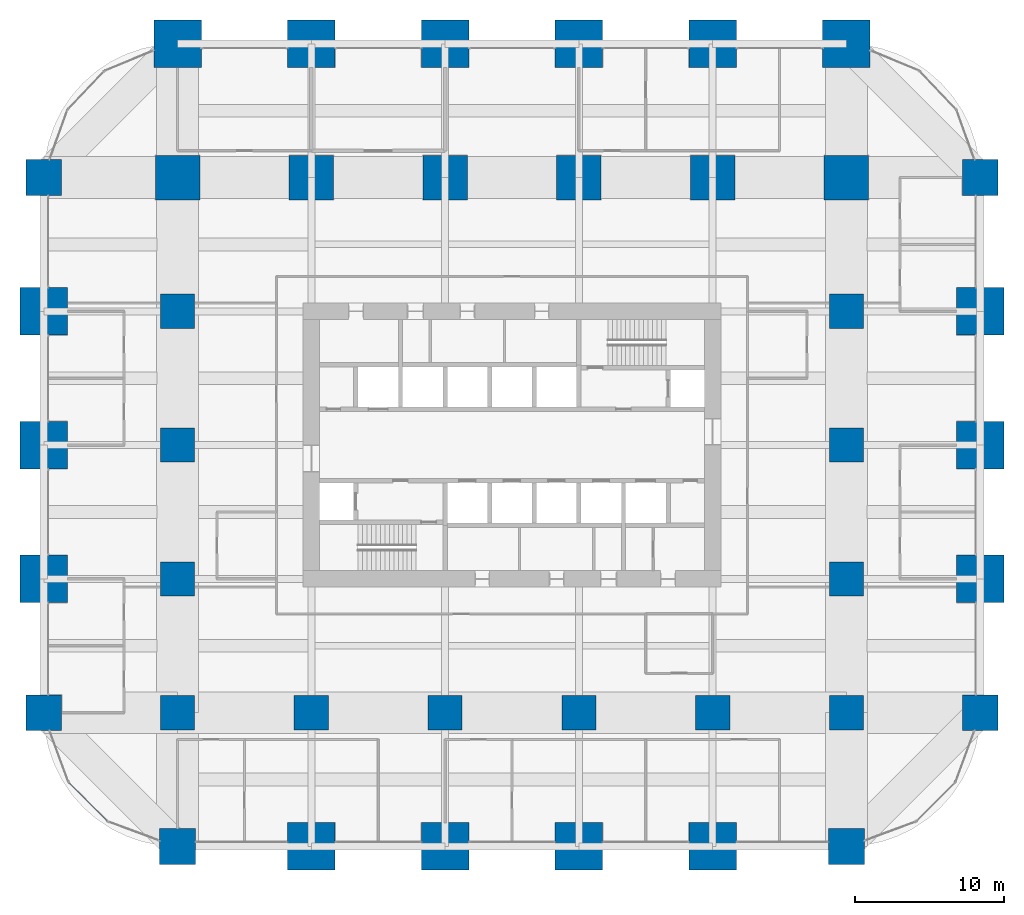
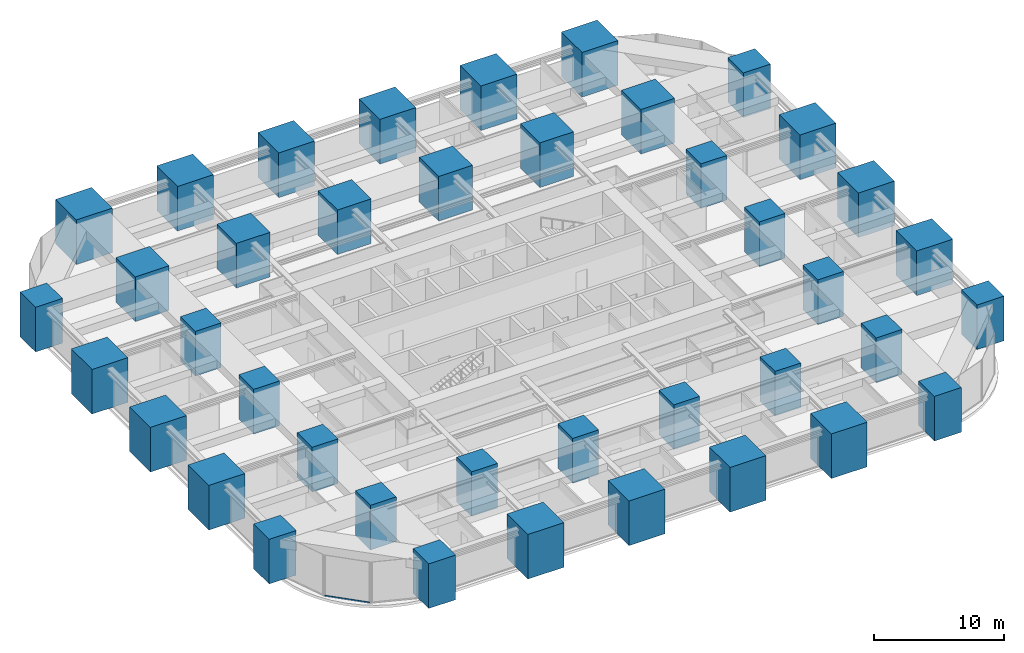
# One storey, part 1 of 42: 40 columns, 1 member, 1 element without a shape of its own.
"""IFC4 building model written with IfcOpenShell, lengths in metres."""

from ifc_helpers import new_model, si_unit, direction, frame, origin, origin_2d, place, context, subcontext, project, spatial, rectangle, hollow_rectangle, extrude, material, material_profile, profile_set, type_object, element, aggregate, save


model = new_model("IFC4")

# Units and contexts
model_context = context("Model", 3, precision=1e-05, world=origin(), true_north=direction((0.0, 1.0)))
body_context = subcontext(model_context, "Body", "Model", "MODEL_VIEW")
ifc_project = project(units=[si_unit("LENGTHUNIT", "METRE"), si_unit("AREAUNIT", "SQUARE_METRE"), si_unit("VOLUMEUNIT", "CUBIC_METRE"), si_unit("PLANEANGLEUNIT", "RADIAN"), si_unit("MASSUNIT", "GRAM", prefix="KILO")], contexts=[model_context])

# Site, building, storey
site_placement = place(None, origin())
site = spatial("IfcSite", under=ifc_project, at=site_placement, CompositionType="ELEMENT")
building_placement = place(site_placement, origin())
building = spatial("IfcBuilding", under=site, at=building_placement, Name="Zorevar Civic Tower", CompositionType="ELEMENT")
storey_placement = place(building_placement, frame((0.0, 0.0, 75.800048828125)))
storey = spatial("IfcBuildingStorey", under=building, at=storey_placement, Name="L18", CompositionType="ELEMENT", Elevation=75.800048828125)

# Columns
ifc_material_1 = material(Name="Concrete C50/60", Category="concrete")
ifc_material_profile_1 = material_profile(ifc_material_1, rectangle(XDim=2.300048828125, YDim=2.300048828125, at=origin_2d()), Name="RC 2300x2300")
ifc_profile_set_1 = profile_set([ifc_material_profile_1], Name="Concrete C50/60")
column_type_1 = type_object("IfcColumnType", Name="Column RC 2300x2300", PredefinedType="COLUMN", material=ifc_profile_set_1)
for number, where, z_axis, x_axis, name in (
    (1, (9.0, 9.0, 0.0), (0.0, 0.0, 1.0), (1.0, 0.0, 0.0), "Column 3B L18"),
    (2, (9.0, 18.0, 0.0), (0.0, 0.0, 1.0), (1.0, 0.0, 0.0), "Column 3C L18"),
    (3, (9.0, 27.0, 0.0), (0.0, 0.0, 1.0), (1.0, 0.0, 0.0), "Column 3D L18"),
    (4, (9.0, 36.0, 0.0), (0.0, 0.0, 1.0), (1.0, 0.0, 0.0), "Column 3E L18"),
    (5, (18.0, 9.0, 0.0), (0.0, 0.0, 1.0), (1.0, 0.0, 0.0), "Column 4B L18"),
    (6, (27.0, 9.0, 0.0), (0.0, 0.0, 1.0), (1.0, 0.0, 0.0), "Column 5B L18"),
    (7, (36.0, 9.0, 0.0), (0.0, 0.0, 1.0), (1.0, 0.0, 0.0), "Column 6B L18"),
    (8, (45.0, 9.0, 0.0), (0.0, 0.0, 1.0), (1.0, 0.0, 0.0), "Column 7B L18"),
    (9, (54.0, 9.0, 0.0), (0.0, 0.0, 1.0), (1.0, 0.0, 0.0), "Column 8B L18"),
    (10, (54.0, 18.0, 0.0), (0.0, 0.0, 1.0), (1.0, 0.0, 0.0), "Column 8C L18"),
    (11, (54.0, 27.0, 0.0), (0.0, 0.0, 1.0), (1.0, 0.0, 0.0), "Column 8D L18"),
    (12, (54.0, 36.0, 0.0), (0.0, 0.0, 1.0), (1.0, 0.0, 0.0), "Column 8E L18"),
):
    element("IfcColumn", number, at=place(storey_placement, frame(where, z_axis=z_axis, x_axis=x_axis)), inside=storey, type_object=column_type_1, Name=name, PredefinedType="COLUMN", context=body_context, shape_type="SweptSolid", body=[
        extrude(rectangle(XDim=2.300048828125, YDim=2.300048828125, at=origin_2d()), origin(), (0.0, 0.0, 1.0), 4.199951171875),
    ])
ifc_material_2 = material(Name="Concrete C50/60", Category="concrete")
ifc_material_profile_2 = material_profile(ifc_material_2, rectangle(XDim=2.39990234375, YDim=2.39990234375, at=origin_2d()), Name="RC 2400x2400")
ifc_profile_set_2 = profile_set([ifc_material_profile_2], Name="Concrete C50/60")
column_type_2 = type_object("IfcColumnType", Name="Column RC 2400x2400", PredefinedType="COLUMN", material=ifc_profile_set_2)
for number, where, z_axis, x_axis, name in (
    (13, (0.0, 9.0, 0.0), (0.0, 0.0, 1.0), (1.0, 0.0, 0.0), "Column 2B L18"),
    (14, (0.0, 45.0, 0.0), (0.0, 0.0, 1.0), (1.0, 0.0, 0.0), "Column 2F L18"),
    (15, (9.0, 0.0, 0.0), (0.0, 0.0, 1.0), (1.0, 0.0, 0.0), "Column 3A L18"),
    (16, (54.0, 0.0, 0.0), (0.0, 0.0, 1.0), (1.0, 0.0, 0.0), "Column 8A L18"),
    (17, (63.0, 9.0, 0.0), (0.0, 0.0, 1.0), (1.0, 0.0, 0.0), "Column 9B L18"),
    (18, (63.0, 45.0, 0.0), (0.0, 0.0, 1.0), (1.0, 0.0, 0.0), "Column 9F L18"),
):
    element("IfcColumn", number, at=place(storey_placement, frame(where, z_axis=z_axis, x_axis=x_axis)), inside=storey, type_object=column_type_2, Name=name, PredefinedType="COLUMN", context=body_context, shape_type="SweptSolid", body=[
        extrude(rectangle(XDim=2.39990234375, YDim=2.39990234375, at=origin_2d()), origin(), (0.0, 0.0, 1.0), 4.199951171875),
    ])
ifc_material_3 = material(Name="Concrete C50/60", Category="concrete")
ifc_material_profile_3 = material_profile(ifc_material_3, rectangle(XDim=3.0, YDim=3.0, at=origin_2d()), Name="RC 3000x3000")
ifc_profile_set_3 = profile_set([ifc_material_profile_3], Name="Concrete C50/60")
column_type_3 = type_object("IfcColumnType", Name="Column RC 3000x3000", PredefinedType="COLUMN", material=ifc_profile_set_3)
for number, where, z_axis, x_axis, name in (
    (19, (9.0, 45.0, 0.0), (0.0, 0.0, 1.0), (1.0, 0.0, 0.0), "Column 3F L18"),
    (20, (18.0, 45.0, 0.0), (0.0, 0.0, 1.0), (1.0, 0.0, 0.0), "Column 4F L18"),
    (21, (27.0, 45.0, 0.0), (0.0, 0.0, 1.0), (1.0, 0.0, 0.0), "Column 5F L18"),
    (22, (36.0, 45.0, 0.0), (0.0, 0.0, 1.0), (1.0, 0.0, 0.0), "Column 6F L18"),
    (23, (45.0, 45.0, 0.0), (0.0, 0.0, 1.0), (1.0, 0.0, 0.0), "Column 7F L18"),
    (24, (54.0, 45.0, 0.0), (0.0, 0.0, 1.0), (1.0, 0.0, 0.0), "Column 8F L18"),
):
    element("IfcColumn", number, at=place(storey_placement, frame(where, z_axis=z_axis, x_axis=x_axis)), inside=storey, type_object=column_type_3, Name=name, PredefinedType="COLUMN", context=body_context, shape_type="SweptSolid", body=[
        extrude(rectangle(XDim=3.0, YDim=3.0, at=origin_2d()), origin(), (0.0, 0.0, 1.0), 4.199951171875),
    ])
ifc_material_4 = material(Name="Concrete C50/60", Category="concrete")
ifc_material_profile_4 = material_profile(ifc_material_4, rectangle(XDim=3.199951171875, YDim=3.199951171875, at=origin_2d()), Name="RC 3200x3200")
ifc_profile_set_4 = profile_set([ifc_material_profile_4], Name="Concrete C50/60")
column_type_4 = type_object("IfcColumnType", Name="Column RC 3200x3200", PredefinedType="COLUMN", material=ifc_profile_set_4)
for number, where, z_axis, x_axis, name in (
    (25, (9.0, 54.0, 0.0), (0.0, 0.0, 1.0), (1.0, 0.0, 0.0), "Column 3G L18"),
    (26, (54.0, 54.0, 0.0), (0.0, 0.0, 1.0), (1.0, 0.0, 0.0), "Column 8G L18"),
):
    element("IfcColumn", number, at=place(storey_placement, frame(where, z_axis=z_axis, x_axis=x_axis)), inside=storey, type_object=column_type_4, Name=name, PredefinedType="COLUMN", context=body_context, shape_type="SweptSolid", body=[
        extrude(rectangle(XDim=3.199951171875, YDim=3.199951171875, at=origin_2d()), origin(), (0.0, 0.0, 1.0), 4.199951171875),
    ])
ifc_material_5 = material(Name="Concrete C50/60", Category="concrete")
ifc_material_profile_5 = material_profile(ifc_material_5, rectangle(XDim=3.199951171875, YDim=3.199951171875, at=origin_2d()), Name="RC 3200x3200")
ifc_profile_set_5 = profile_set([ifc_material_profile_5], Name="Concrete C50/60")
column_type_5 = type_object("IfcColumnType", Name="Mega column RC 3200x3200", PredefinedType="COLUMN", material=ifc_profile_set_5)
for number, where, z_axis, x_axis, name in (
    (27, (0.0, 18.0, 0.0), (0.0, 0.0, 1.0), (1.0, 0.0, 0.0), "Column 2C L18"),
    (28, (0.0, 27.0, 0.0), (0.0, 0.0, 1.0), (1.0, 0.0, 0.0), "Column 2D L18"),
    (29, (0.0, 36.0, 0.0), (0.0, 0.0, 1.0), (1.0, 0.0, 0.0), "Column 2E L18"),
    (30, (18.0, 0.0, 0.0), (0.0, 0.0, 1.0), (1.0, 0.0, 0.0), "Column 4A L18"),
    (31, (18.0, 54.0, 0.0), (0.0, 0.0, 1.0), (1.0, 0.0, 0.0), "Column 4G L18"),
    (32, (27.0, 0.0, 0.0), (0.0, 0.0, 1.0), (1.0, 0.0, 0.0), "Column 5A L18"),
    (33, (27.0, 54.0, 0.0), (0.0, 0.0, 1.0), (1.0, 0.0, 0.0), "Column 5G L18"),
    (34, (36.0, 0.0, 0.0), (0.0, 0.0, 1.0), (1.0, 0.0, 0.0), "Column 6A L18"),
    (35, (36.0, 54.0, 0.0), (0.0, 0.0, 1.0), (1.0, 0.0, 0.0), "Column 6G L18"),
    (36, (45.0, 0.0, 0.0), (0.0, 0.0, 1.0), (1.0, 0.0, 0.0), "Column 7A L18"),
    (37, (45.0, 54.0, 0.0), (0.0, 0.0, 1.0), (1.0, 0.0, 0.0), "Column 7G L18"),
    (38, (63.0, 18.0, 0.0), (0.0, 0.0, 1.0), (1.0, 0.0, 0.0), "Column 9C L18"),
    (39, (63.0, 27.0, 0.0), (0.0, 0.0, 1.0), (1.0, 0.0, 0.0), "Column 9D L18"),
    (40, (63.0, 36.0, 0.0), (0.0, 0.0, 1.0), (1.0, 0.0, 0.0), "Column 9E L18"),
):
    element("IfcColumn", number, at=place(storey_placement, frame(where, z_axis=z_axis, x_axis=x_axis)), inside=storey, type_object=column_type_5, Name=name, PredefinedType="COLUMN", context=body_context, shape_type="SweptSolid", body=[
        extrude(rectangle(XDim=3.199951171875, YDim=3.199951171875, at=origin_2d()), origin(), (0.0, 0.0, 1.0), 4.199951171875),
    ])

# Curtain wall, member
ifc_material_6 = material(Name="Dark grey solar-control glass in black aluminium frame", Category="aluminium")
curtain_wall_type = type_object("IfcCurtainWallType", Name="Curtain wall CW2 low zone", PredefinedType="NOTDEFINED", material=ifc_material_6)
curtain_wall_placement = place(storey_placement, origin())
curtain_wall = element("IfcCurtainWall", 41, at=curtain_wall_placement, inside=storey, type_object=curtain_wall_type, Name="CW2 L18", PredefinedType="NOTDEFINED")
ifc_material_7 = material(Name="Aluminium, black anodised", Category="aluminium")
ifc_material_profile_6 = material_profile(ifc_material_7, hollow_rectangle(XDim=0.06005859375, YDim=0.14990234375, WallThickness=0.00390625, at=origin_2d()), Name="AL 150x60x4")
ifc_profile_set_6 = profile_set([ifc_material_profile_6], Name="Aluminium, black anodised")
member_type = type_object("IfcMemberType", Name="CW2 transom AL 150x60x4", PredefinedType="USERDEFINED", material=ifc_profile_set_6)
member_placement = place(storey_placement, frame((1.716552734375, 4.264892578125, 0.030029296875), z_axis=(0.707106781187, -0.707106781187, 0.0), x_axis=(0.707106781187, 0.707106781187, 0.0)))
member = element("IfcMember", 42, at=member_placement, type_object=member_type, Name="CW2 sill transom", ObjectType="TRANSOM", PredefinedType="USERDEFINED", context=body_context, shape_type="SweptSolid", body=[
    extrude(hollow_rectangle(XDim=0.06005859375, YDim=0.14990234375, WallThickness=0.00390625, at=origin_2d()), origin(), (0.0, 0.0, 1.0), 3.60400390625),
])
aggregate(curtain_wall, [member])

save(model, "model.ifc")
